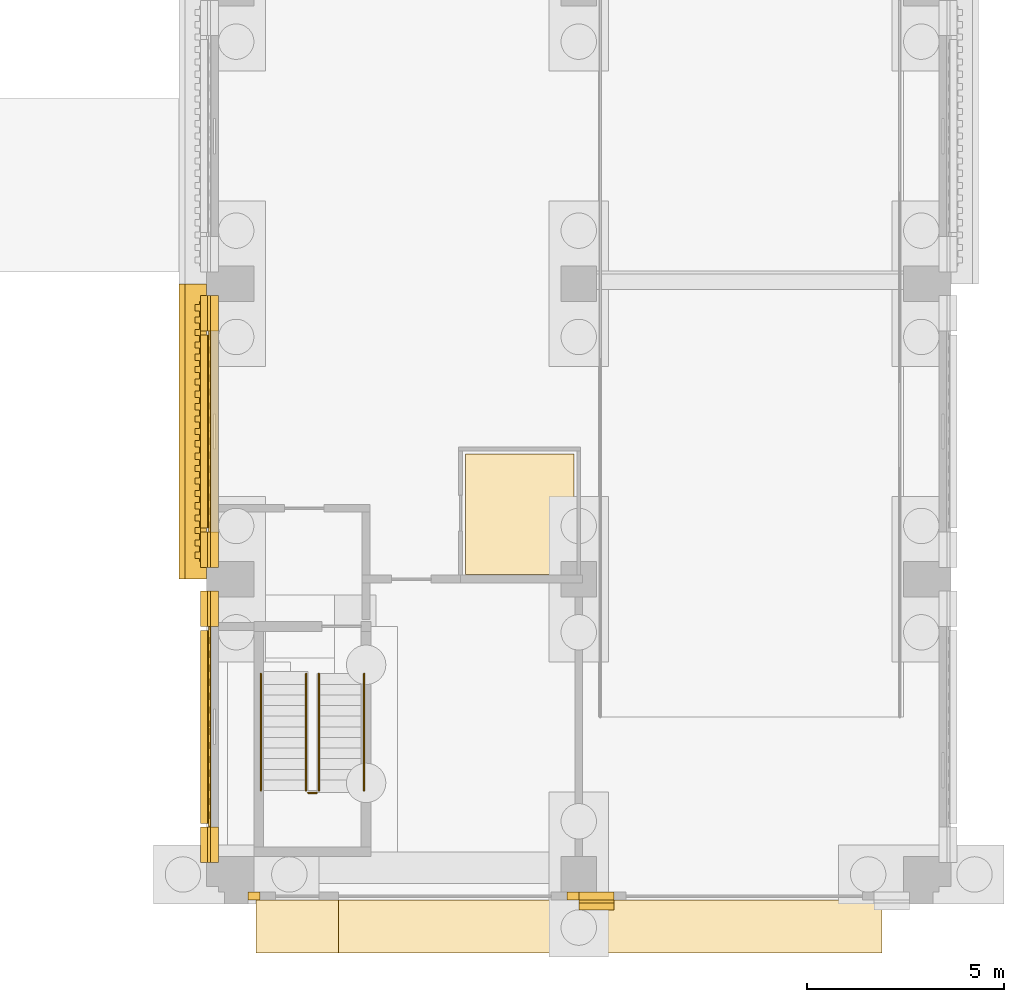
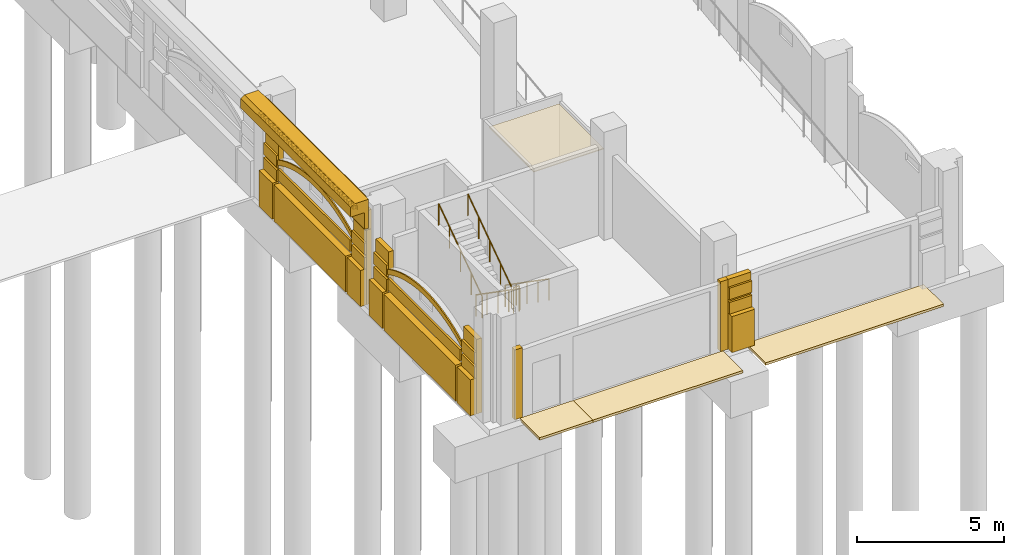
# One storey, part 80 of 99: 35 coverings, 5 railings.
"""IFC4 building model written with IfcOpenShell, lengths in metres."""

from ifc_helpers import new_model, si_unit, direction, frame, origin, origin_2d, place, context, subcontext, project, spatial, polyline, circle, outline, extrude, material, layer, layer_set, type_object, element, save


model = new_model("IFC4")

# Units and contexts
model_context = context("Model", 3, precision=1e-05, world=origin(), true_north=direction((0.0, 1.0)))
body_context = subcontext(model_context, "Body", "Model", "MODEL_VIEW")
ifc_project = project(units=[si_unit("LENGTHUNIT", "METRE"), si_unit("AREAUNIT", "SQUARE_METRE"), si_unit("VOLUMEUNIT", "CUBIC_METRE"), si_unit("PLANEANGLEUNIT", "RADIAN"), si_unit("MASSUNIT", "GRAM", prefix="KILO")], contexts=[model_context])

# Site, building, storey
site_placement = place(None, origin())
site = spatial("IfcSite", under=ifc_project, at=site_placement, CompositionType="ELEMENT")
building_placement = place(site_placement, origin())
building = spatial("IfcBuilding", under=site, at=building_placement, Name="Cour d'Honneur Mobility Palace", CompositionType="ELEMENT")
storey_placement = place(building_placement, origin())
storey = spatial("IfcBuildingStorey", under=building, at=storey_placement, Name="L00", CompositionType="ELEMENT", Elevation=0.0)

# Coverings
ifc_material_1 = material(Name="Cast limestone", Category="masonry")
ifc_layer_1 = layer(ifc_material_1, 0.050048828125)
ifc_layer_set_1 = layer_set([ifc_layer_1], Name="Cast limestone")
covering_type_1 = type_object("IfcCoveringType", Name="Arch hood", PredefinedType="CLADDING", material=ifc_layer_set_1)
for number, where, z_axis, x_axis, name in (
    (1, (144.199951171875, 13.800048828125, 2.179931640625), (-1.0, 0.0, 0.0), (0.0, -0.893604607308, 0.448854994176), "Arch hood AH-28"),
    (2, (144.199951171875, 6.300048828125, 2.179931640625), (-1.0, 0.0, 0.0), (0.0, -0.893604607308, 0.448854994176), "Arch hood AH-29"),
):
    element("IfcCovering", number, at=place(storey_placement, frame(where, z_axis=z_axis, x_axis=x_axis)), inside=storey, type_object=covering_type_1, Name=name, PredefinedType="CLADDING", context=body_context, shape_type="SweptSolid", body=[
        extrude(outline(polyline([(0.0, 0.0), (0.35681066731556765, 2.7755575615628914e-17), (0.7020064606072944, -0.022579595743628944), (1.0367907964215308, -0.06643079839719385), (1.3617125957426337, -0.129916867910564), (1.677101612077335, -0.2118373946082709), (1.9837229270167351, -0.31175705040594615), (2.2813593776637964, -0.4290203374513023), (2.570556878131994, -0.5636282580346337), (2.8512068469728096, -0.7152530632297959), (3.1229815352600987, -0.884003334485308), (3.3862076896297117, -1.070316404466126), (3.640229812229361, -1.2744094360692875), (3.885155482217271, -1.4971560923344107), (4.120218615712047, -1.7395376154593394), (4.344433961354672, -2.0029715780165787), (4.557470763348117, -2.2892043037950724), (4.656205712018263, -2.0926374700096892), (4.44327849376363, -1.8061865790438643), (4.218953564382193, -1.5429707816739562), (3.9838904308874175, -1.3005892585490275), (3.73907434463832, -1.0776244370965733), (3.484942638299858, -0.873749570680743), (3.221716483930245, -0.6874365006999249), (2.949941795642956, -0.5186862294444128), (2.6692918268021404, -0.3670614242492506), (2.3800943263339427, -0.23245350366591921), (2.0824578756868815, -0.11519021662056306), (1.7758365607474815, -0.015270560822887802), (1.460557128151593, 0.06686813106215028), (1.1355257450916771, 0.1301360353881893), (0.8007414092774409, 0.17398723804175414), (0.4556551997245267, 0.1967849989727143), (0.09873494867014648, 0.19656683378538312), (0.0, 0.0)])), origin(), (0.0, 0.0, -1.0), 0.050048828125),
    ])
ifc_material_2 = material(Name="Cast limestone", Category="masonry")
ifc_layer_2 = layer(ifc_material_2, 0.14990234375)
ifc_layer_set_2 = layer_set([ifc_layer_2], Name="Cast limestone")
covering_type_2 = type_object("IfcCoveringType", Name="Dentil course", PredefinedType="CLADDING", material=ifc_layer_set_2)
covering_1_placement = place(storey_placement, frame((0.0, 0.0, 3.949951171875)))
element("IfcCovering", 3, at=covering_1_placement, inside=storey, type_object=covering_type_2, Name="Dentil course DC-22", PredefinedType="CLADDING", context=body_context, shape_type="SweptSolid", body=[
    extrude(outline(polyline([(144.0, 14.550048828125), (144.0, 7.949951171875), (143.969970703125, 7.949951171875), (143.969970703125, 7.949951171875), (143.969970703125, 8.028564453125), (143.85009765625, 8.028564453125), (143.85009765625, 8.185791015625), (143.969970703125, 8.185791015625), (143.969970703125, 8.264404296875), (143.969970703125, 8.264404296875), (143.969970703125, 8.3427734375), (143.85009765625, 8.3427734375), (143.85009765625, 8.5), (143.969970703125, 8.5), (143.969970703125, 8.57861328125), (143.969970703125, 8.57861328125), (143.969970703125, 8.6572265625), (143.85009765625, 8.6572265625), (143.85009765625, 8.814208984375), (143.969970703125, 8.814208984375), (143.969970703125, 8.892822265625), (143.969970703125, 8.892822265625), (143.969970703125, 8.971435546875), (143.85009765625, 8.971435546875), (143.85009765625, 9.128662109375), (143.969970703125, 9.128662109375), (143.969970703125, 9.20703125), (143.969970703125, 9.20703125), (143.969970703125, 9.28564453125), (143.85009765625, 9.28564453125), (143.85009765625, 9.44287109375), (143.969970703125, 9.44287109375), (143.969970703125, 9.521484375), (143.969970703125, 9.521484375), (143.969970703125, 9.60009765625), (143.85009765625, 9.60009765625), (143.85009765625, 9.757080078125), (143.969970703125, 9.757080078125), (143.969970703125, 9.835693359375), (143.969970703125, 9.835693359375), (143.969970703125, 9.914306640625), (143.85009765625, 9.914306640625), (143.85009765625, 10.071533203125), (143.969970703125, 10.071533203125), (143.969970703125, 10.14990234375), (143.969970703125, 10.14990234375), (143.969970703125, 10.228515625), (143.85009765625, 10.228515625), (143.85009765625, 10.3857421875), (143.969970703125, 10.3857421875), (143.969970703125, 10.46435546875), (143.969970703125, 10.46435546875), (143.969970703125, 10.54296875), (143.85009765625, 10.54296875), (143.85009765625, 10.699951171875), (143.969970703125, 10.699951171875), (143.969970703125, 10.778564453125), (143.969970703125, 10.778564453125), (143.969970703125, 10.857177734375), (143.85009765625, 10.857177734375), (143.85009765625, 11.014404296875), (143.969970703125, 11.014404296875), (143.969970703125, 11.0927734375), (143.969970703125, 11.0927734375), (143.969970703125, 11.17138671875), (143.85009765625, 11.17138671875), (143.85009765625, 11.32861328125), (143.969970703125, 11.32861328125), (143.969970703125, 11.4072265625), (143.969970703125, 11.4072265625), (143.969970703125, 11.485595703125), (143.85009765625, 11.485595703125), (143.85009765625, 11.642822265625), (143.969970703125, 11.642822265625), (143.969970703125, 11.721435546875), (143.969970703125, 11.721435546875), (143.969970703125, 11.800048828125), (143.85009765625, 11.800048828125), (143.85009765625, 11.95703125), (143.969970703125, 11.95703125), (143.969970703125, 12.03564453125), (143.969970703125, 12.03564453125), (143.969970703125, 12.1142578125), (143.85009765625, 12.1142578125), (143.85009765625, 12.271484375), (143.969970703125, 12.271484375), (143.969970703125, 12.35009765625), (143.969970703125, 12.35009765625), (143.969970703125, 12.428466796875), (143.85009765625, 12.428466796875), (143.85009765625, 12.585693359375), (143.969970703125, 12.585693359375), (143.969970703125, 12.664306640625), (143.969970703125, 12.664306640625), (143.969970703125, 12.742919921875), (143.85009765625, 12.742919921875), (143.85009765625, 12.89990234375), (143.969970703125, 12.89990234375), (143.969970703125, 12.978515625), (143.969970703125, 12.978515625), (143.969970703125, 13.05712890625), (143.85009765625, 13.05712890625), (143.85009765625, 13.21435546875), (143.969970703125, 13.21435546875), (143.969970703125, 13.29296875), (143.969970703125, 13.29296875), (143.969970703125, 13.371337890625), (143.85009765625, 13.371337890625), (143.85009765625, 13.528564453125), (143.969970703125, 13.528564453125), (143.969970703125, 13.607177734375), (143.969970703125, 13.607177734375), (143.969970703125, 13.685791015625), (143.85009765625, 13.685791015625), (143.85009765625, 13.8427734375), (143.969970703125, 13.8427734375), (143.969970703125, 13.92138671875), (143.969970703125, 13.92138671875), (143.969970703125, 14.0), (143.85009765625, 14.0), (143.85009765625, 14.1572265625), (143.969970703125, 14.1572265625), (143.969970703125, 14.235595703125), (143.969970703125, 14.235595703125), (143.969970703125, 14.314208984375), (143.85009765625, 14.314208984375), (143.85009765625, 14.471435546875), (143.969970703125, 14.471435546875), (143.969970703125, 14.550048828125), (144.0, 14.550048828125)])), origin(), (0.0, 0.0, 1.0), 0.150146484375),
])
ifc_material_3 = material(Name="Cast limestone", Category="masonry")
ifc_layer_3 = layer(ifc_material_3, 0.699951171875)
ifc_layer_set_3 = layer_set([ifc_layer_3], Name="Cast limestone")
covering_type_3 = type_object("IfcCoveringType", Name="Entablature", PredefinedType="CLADDING", material=ifc_layer_set_3)
covering_2_placement = place(storey_placement, frame((144.14990234375, 15.0, 3.39990234375), z_axis=(0.0, 1.0, 0.0), x_axis=(-1.0, 0.0, 0.0)))
element("IfcCovering", 4, at=covering_2_placement, inside=storey, type_object=covering_type_3, Name="Entablature EN-22", PredefinedType="CLADDING", context=body_context, shape_type="SweptSolid", body=[
    extrude(outline(polyline([(0.0, 0.0), (0.14990234375, 0.0), (0.14990234375, 0.7001953125), (0.699951171875, 0.7001953125), (0.699951171875, 1.10009765625), (0.5498046875, 1.2001953125), (0.0, 1.2001953125), (0.0, 0.0)])), origin(), (0.0, 0.0, -1.0), 7.5),
])
ifc_material_4 = material(Name="Granite paving", Category="masonry")
ifc_layer_4 = layer(ifc_material_4, 0.10009765625)
ifc_layer_set_4 = layer_set([ifc_layer_4], Name="Granite paving")
covering_type_4 = type_object("IfcCoveringType", Name="Entrance paving", PredefinedType="FLOORING", material=ifc_layer_set_4)
covering_3_placement = place(storey_placement, frame((0.0, 0.0, -0.10009765625)))
element("IfcCovering", 5, at=covering_3_placement, inside=storey, type_object=covering_type_4, Name="Entrance paving PV-7", PredefinedType="FLOORING", context=body_context, shape_type="SweptSolid", body=[
    extrude(outline(polyline([(147.0, -0.64990234375), (153.39990234375, -0.64990234375), (153.39990234375, -2.0), (147.0, -2.0), (147.0, -0.64990234375)])), origin(), (0.0, 0.0, 1.0), 0.10009765625),
])
covering_4_placement = place(storey_placement, frame((0.0, 0.0, -0.10009765625)))
element("IfcCovering", 6, at=covering_4_placement, inside=storey, type_object=covering_type_4, Name="Entrance paving PV-8", PredefinedType="FLOORING", context=body_context, shape_type="SweptSolid", body=[
    extrude(outline(polyline([(145.39990234375, -0.64990234375), (147.5, -0.64990234375), (147.5, -2.0), (145.39990234375, -2.0), (145.39990234375, -0.64990234375)])), origin(), (0.0, 0.0, 1.0), 0.10009765625),
])
covering_5_placement = place(storey_placement, frame((0.0, 0.0, -0.10009765625)))
element("IfcCovering", 7, at=covering_5_placement, inside=storey, type_object=covering_type_4, Name="Entrance paving PV-9", PredefinedType="FLOORING", context=body_context, shape_type="SweptSolid", body=[
    extrude(outline(polyline([(154.300048828125, -0.64990234375), (161.300048828125, -0.64990234375), (161.300048828125, -2.0), (154.300048828125, -2.0), (154.300048828125, -0.64990234375)])), origin(), (0.0, 0.0, 1.0), 0.10009765625),
])

# Railings
ifc_material_5 = material(Name="Painted steel", Category="steel")
railing_type_1 = type_object("IfcRailingType", Name="Guardrail 1100", PredefinedType="GUARDRAIL", material=ifc_material_5)
railing_placement = place(storey_placement, frame((146.72509765625, 2.070068359375, 2.25)))
element("IfcRailing", 8, at=railing_placement, inside=storey, type_object=railing_type_1, Name="Landing guard ST-RE1", PredefinedType="GUARDRAIL", context=body_context, shape_type="SweptSolid", body=[
    extrude(circle(Radius=0.02490234375, at=origin_2d()), frame((0.0, 0.0, 1.0751953125), z_axis=(1.0, 0.0, 0.0), x_axis=(0.0, 1.0, 0.0)), (0.0, 0.0, 1.0), 0.224853515625),
    extrude(circle(Radius=0.02099609375, at=origin_2d()), origin(), (0.0, 0.0, 1.0), 1.050048828125),
    extrude(circle(Radius=0.02099609375, at=origin_2d()), frame((0.224853515625, 0.0, 0.0)), (0.0, 0.0, 1.0), 1.050048828125),
])
ifc_material_6 = material(Name="Stainless steel", Category="steel")
railing_type_2 = type_object("IfcRailingType", Name="Handrail round 50", PredefinedType="HANDRAIL", material=ifc_material_6)
for number, where, name in (
    (9, (148.14990234375, 5.10009765625, 0.1875), "Handrail ST-RE1"),
    (10, (147.0, 5.10009765625, 0.1875), "Handrail ST-RE1"),
):
    element("IfcRailing", number, at=place(storey_placement, frame(where)), inside=storey, type_object=railing_type_2, Name=name, PredefinedType="HANDRAIL", context=body_context, shape_type="SweptSolid", body=[
        extrude(circle(Radius=0.02490234375, at=origin_2d()), frame((0.0, 0.0, 0.89501953125), z_axis=(0.0, -0.821389295411, 0.570367973667), x_axis=(1.0, 0.0, 0.0)), (0.0, 0.0, 1.0), 3.615966796875),
        extrude(circle(Radius=0.02099609375, at=origin_2d()), origin(), (0.0, 0.0, 1.0), 0.869873046875),
        extrude(circle(Radius=0.02099609375, at=origin_2d()), frame((0.0, -0.74267578125, 0.515625)), (0.0, 0.0, 1.0), 0.869873046875),
        extrude(circle(Radius=0.02099609375, at=origin_2d()), frame((0.0, -1.485107421875, 1.03125)), (0.0, 0.0, 1.0), 0.869873046875),
        extrude(circle(Radius=0.02099609375, at=origin_2d()), frame((0.0, -2.2275390625, 1.546875)), (0.0, 0.0, 1.0), 0.869873046875),
        extrude(circle(Radius=0.02099609375, at=origin_2d()), frame((0.0, -2.97021484375, 2.0625)), (0.0, 0.0, 1.0), 0.869873046875),
    ])
for number, where, name in (
    (11, (146.675048828125, 2.1298828125, 2.4375), "Handrail ST-RE1"),
    (12, (145.52490234375, 2.1298828125, 2.4375), "Handrail ST-RE1"),
):
    element("IfcRailing", number, at=place(storey_placement, frame(where)), inside=storey, type_object=railing_type_2, Name=name, PredefinedType="HANDRAIL", context=body_context, shape_type="SweptSolid", body=[
        extrude(circle(Radius=0.02490234375, at=origin_2d()), frame((0.0, 0.0, 0.89501953125), z_axis=(0.0, 0.821389295411, 0.570367973667), x_axis=(-1.0, 0.0, 0.0)), (0.0, 0.0, 1.0), 3.615966796875),
        extrude(circle(Radius=0.02099609375, at=origin_2d()), origin(), (0.0, 0.0, 1.0), 0.869873046875),
        extrude(circle(Radius=0.02099609375, at=origin_2d()), frame((0.0, 0.74267578125, 0.515625)), (0.0, 0.0, 1.0), 0.869873046875),
        extrude(circle(Radius=0.02099609375, at=origin_2d()), frame((0.0, 1.485107421875, 1.03125)), (0.0, 0.0, 1.0), 0.869873046875),
        extrude(circle(Radius=0.02099609375, at=origin_2d()), frame((0.0, 2.2275390625, 1.546875)), (0.0, 0.0, 1.0), 0.869873046875),
        extrude(circle(Radius=0.02099609375, at=origin_2d()), frame((0.0, 2.97021484375, 2.0625)), (0.0, 0.0, 1.0), 0.869873046875),
    ])

# Coverings
ifc_material_7 = material(Name="Cast limestone", Category="masonry")
ifc_layer_5 = layer(ifc_material_7, 0.25)
ifc_layer_set_5 = layer_set([ifc_layer_5], Name="Cast limestone")
covering_type_5 = type_object("IfcCoveringType", Name="Plinth course", PredefinedType="CLADDING", material=ifc_layer_set_5)
covering_6_placement = place(storey_placement, origin())
element("IfcCovering", 13, at=covering_6_placement, inside=storey, type_object=covering_type_5, Name="Plinth course PI-81", PredefinedType="CLADDING", context=body_context, shape_type="SweptSolid", body=[
    extrude(outline(polyline([(144.25, 14.699951171875), (144.25, 13.800048828125), (144.0, 13.800048828125), (144.0, 14.699951171875), (144.25, 14.699951171875)])), origin(), (0.0, 0.0, 1.0), 1.5),
])
covering_7_placement = place(storey_placement, origin())
element("IfcCovering", 14, at=covering_7_placement, inside=storey, type_object=covering_type_5, Name="Plinth course PI-82", PredefinedType="CLADDING", context=body_context, shape_type="SweptSolid", body=[
    extrude(outline(polyline([(144.25, 8.699951171875), (144.25, 7.800048828125), (144.0, 7.800048828125), (144.0, 8.699951171875), (144.25, 8.699951171875)])), origin(), (0.0, 0.0, 1.0), 1.5),
])
covering_8_placement = place(storey_placement, origin())
element("IfcCovering", 15, at=covering_8_placement, inside=storey, type_object=covering_type_5, Name="Plinth course PI-83", PredefinedType="CLADDING", context=body_context, shape_type="SweptSolid", body=[
    extrude(outline(polyline([(144.25, 13.699951171875), (144.25, 8.800048828125), (144.0, 8.800048828125), (144.0, 13.699951171875), (144.25, 13.699951171875)])), origin(), (0.0, 0.0, 1.0), 1.5),
])
covering_9_placement = place(storey_placement, origin())
element("IfcCovering", 16, at=covering_9_placement, inside=storey, type_object=covering_type_5, Name="Plinth course PI-84", PredefinedType="CLADDING", context=body_context, shape_type="SweptSolid", body=[
    extrude(outline(polyline([(144.25, 7.199951171875), (144.25, 6.300048828125), (144.0, 6.300048828125), (144.0, 7.199951171875), (144.25, 7.199951171875)])), origin(), (0.0, 0.0, 1.0), 1.5),
])
covering_10_placement = place(storey_placement, origin())
element("IfcCovering", 17, at=covering_10_placement, inside=storey, type_object=covering_type_5, Name="Plinth course PI-85", PredefinedType="CLADDING", context=body_context, shape_type="SweptSolid", body=[
    extrude(outline(polyline([(144.25, 1.199951171875), (144.25, 0.300048828125), (144.0, 0.300048828125), (144.0, 1.199951171875), (144.25, 1.199951171875)])), origin(), (0.0, 0.0, 1.0), 1.5),
])
covering_11_placement = place(storey_placement, origin())
element("IfcCovering", 18, at=covering_11_placement, inside=storey, type_object=covering_type_5, Name="Plinth course PI-86", PredefinedType="CLADDING", context=body_context, shape_type="SweptSolid", body=[
    extrude(outline(polyline([(144.25, 6.199951171875), (144.25, 1.300048828125), (144.0, 1.300048828125), (144.0, 6.199951171875), (144.25, 6.199951171875)])), origin(), (0.0, 0.0, 1.0), 1.5),
])
covering_12_placement = place(storey_placement, origin())
element("IfcCovering", 19, at=covering_12_placement, inside=storey, type_object=covering_type_5, Name="Plinth course PI-87", PredefinedType="CLADDING", context=body_context, shape_type="SweptSolid", body=[
    extrude(outline(polyline([(153.60009765625, -0.64990234375), (154.5, -0.64990234375), (154.5, -0.89990234375), (153.60009765625, -0.89990234375), (153.60009765625, -0.64990234375)])), origin(), (0.0, 0.0, 1.0), 1.5),
])
ifc_material_8 = material(Name="Cast limestone", Category="masonry")
ifc_layer_6 = layer(ifc_material_8, 0.199951171875)
ifc_layer_set_6 = layer_set([ifc_layer_6], Name="Cast limestone")
covering_type_6 = type_object("IfcCoveringType", Name="Rusticated jamb panel", PredefinedType="CLADDING", material=ifc_layer_set_6)
for number, where, z_axis, x_axis, name in (
    (20, (144.25, 14.699951171875, 0.0), (-1.0, 0.0, 0.0), (0.0, -1.0, 0.0), "Rusticated jamb panel RP-59"),
    (21, (144.25, 8.699951171875, 0.0), (-1.0, 0.0, 0.0), (0.0, -1.0, 0.0), "Rusticated jamb panel RP-60"),
    (22, (144.25, 7.199951171875, 0.0), (-1.0, 0.0, 0.0), (0.0, -1.0, 0.0), "Rusticated jamb panel RP-61"),
    (23, (144.25, 1.199951171875, 0.0), (-1.0, 0.0, 0.0), (0.0, -1.0, 0.0), "Rusticated jamb panel RP-62"),
):
    element("IfcCovering", number, at=place(storey_placement, frame(where, z_axis=z_axis, x_axis=x_axis)), inside=storey, type_object=covering_type_6, Name=name, PredefinedType="CLADDING", context=body_context, shape_type="SweptSolid", body=[
        extrude(outline(polyline([(0.0, 0.0), (0.89990234375, 0.0), (0.89990234375, 3.10009765625), (0.0, 3.10009765625), (0.0, 0.0)])), origin(), (0.0, 0.0, -1.0), 0.199951171875),
    ])
for number, where, z_axis, x_axis, name in (
    (24, (145.199951171875, -0.64990234375, 0.0), (0.0, -1.0, 0.0), (1.0, 0.0, 0.0), "Rusticated jamb panel RP-63"),
    (25, (153.300048828125, -0.64990234375, 0.0), (0.0, -1.0, 0.0), (1.0, 0.0, 0.0), "Rusticated jamb panel RP-64"),
):
    element("IfcCovering", number, at=place(storey_placement, frame(where, z_axis=z_axis, x_axis=x_axis)), inside=storey, type_object=covering_type_6, Name=name, PredefinedType="CLADDING", context=body_context, shape_type="SweptSolid", body=[
        extrude(outline(polyline([(0.0, 0.0), (0.300048828125, 0.0), (0.300048828125, 2.89990234375), (0.0, 2.89990234375), (0.0, 0.0)])), origin(), (0.0, 0.0, -1.0), 0.199951171875),
    ])
covering_13_placement = place(storey_placement, frame((153.60009765625, -0.64990234375, 0.0), z_axis=(0.0, -1.0, 0.0), x_axis=(1.0, 0.0, 0.0)))
element("IfcCovering", 26, at=covering_13_placement, inside=storey, type_object=covering_type_6, Name="Rusticated jamb panel RP-65", PredefinedType="CLADDING", context=body_context, shape_type="SweptSolid", body=[
    extrude(outline(polyline([(0.0, 0.0), (0.89990234375, 0.0), (0.89990234375, 2.89990234375), (0.0, 2.89990234375), (0.0, 0.0)])), origin(), (0.0, 0.0, -1.0), 0.199951171875),
])
ifc_material_9 = material(Name="Cast limestone", Category="masonry")
ifc_layer_7 = layer(ifc_material_9, 0.080078125)
ifc_layer_set_7 = layer_set([ifc_layer_7], Name="Cast limestone")
covering_type_7 = type_object("IfcCoveringType", Name="Rustication course", PredefinedType="CLADDING", material=ifc_layer_set_7)
for number, where, name in (
    (27, (0.0, 0.0, 1.5), "Rustication course RC-137"),
    (28, (0.0, 0.0, 2.10009765625), "Rustication course RC-138"),
):
    element("IfcCovering", number, at=place(storey_placement, frame(where)), inside=storey, type_object=covering_type_7, Name=name, PredefinedType="CLADDING", context=body_context, shape_type="SweptSolid", body=[
        extrude(outline(polyline([(144.25, 14.699951171875), (144.25, 13.800048828125), (144.169921875, 13.800048828125), (144.169921875, 14.699951171875), (144.25, 14.699951171875)])), origin(), (0.0, 0.0, 1.0), 0.47998046875),
    ])
for number, where, name in (
    (29, (0.0, 0.0, 1.5), "Rustication course RC-139"),
    (30, (0.0, 0.0, 2.10009765625), "Rustication course RC-140"),
):
    element("IfcCovering", number, at=place(storey_placement, frame(where)), inside=storey, type_object=covering_type_7, Name=name, PredefinedType="CLADDING", context=body_context, shape_type="SweptSolid", body=[
        extrude(outline(polyline([(144.25, 8.699951171875), (144.25, 7.800048828125), (144.169921875, 7.800048828125), (144.169921875, 8.699951171875), (144.25, 8.699951171875)])), origin(), (0.0, 0.0, 1.0), 0.47998046875),
    ])
covering_14_placement = place(storey_placement, frame((0.0, 0.0, 1.6201171875)))
element("IfcCovering", 31, at=covering_14_placement, inside=storey, type_object=covering_type_7, Name="Rustication course RC-141", PredefinedType="CLADDING", context=body_context, shape_type="SweptSolid", body=[
    extrude(outline(polyline([(144.25, 13.699951171875), (144.25, 8.800048828125), (144.169921875, 8.800048828125), (144.169921875, 13.699951171875), (144.25, 13.699951171875)])), origin(), (0.0, 0.0, 1.0), 0.47998046875),
])
for number, where, name in (
    (32, (0.0, 0.0, 1.5), "Rustication course RC-142"),
    (33, (0.0, 0.0, 2.10009765625), "Rustication course RC-143"),
):
    element("IfcCovering", number, at=place(storey_placement, frame(where)), inside=storey, type_object=covering_type_7, Name=name, PredefinedType="CLADDING", context=body_context, shape_type="SweptSolid", body=[
        extrude(outline(polyline([(144.25, 7.199951171875), (144.25, 6.300048828125), (144.169921875, 6.300048828125), (144.169921875, 7.199951171875), (144.25, 7.199951171875)])), origin(), (0.0, 0.0, 1.0), 0.47998046875),
    ])
for number, where, name in (
    (34, (0.0, 0.0, 1.5), "Rustication course RC-144"),
    (35, (0.0, 0.0, 2.10009765625), "Rustication course RC-145"),
):
    element("IfcCovering", number, at=place(storey_placement, frame(where)), inside=storey, type_object=covering_type_7, Name=name, PredefinedType="CLADDING", context=body_context, shape_type="SweptSolid", body=[
        extrude(outline(polyline([(144.25, 1.199951171875), (144.25, 0.300048828125), (144.169921875, 0.300048828125), (144.169921875, 1.199951171875), (144.25, 1.199951171875)])), origin(), (0.0, 0.0, 1.0), 0.47998046875),
    ])
covering_15_placement = place(storey_placement, frame((0.0, 0.0, 1.6201171875)))
element("IfcCovering", 36, at=covering_15_placement, inside=storey, type_object=covering_type_7, Name="Rustication course RC-146", PredefinedType="CLADDING", context=body_context, shape_type="SweptSolid", body=[
    extrude(outline(polyline([(144.25, 6.199951171875), (144.25, 1.300048828125), (144.169921875, 1.300048828125), (144.169921875, 6.199951171875), (144.25, 6.199951171875)])), origin(), (0.0, 0.0, 1.0), 0.47998046875),
])
for number, where, name in (
    (37, (0.0, 0.0, 1.5), "Rustication course RC-147"),
    (38, (0.0, 0.0, 2.10009765625), "Rustication course RC-148"),
):
    element("IfcCovering", number, at=place(storey_placement, frame(where)), inside=storey, type_object=covering_type_7, Name=name, PredefinedType="CLADDING", context=body_context, shape_type="SweptSolid", body=[
        extrude(outline(polyline([(153.60009765625, -0.64990234375), (154.5, -0.64990234375), (154.5, -0.72998046875), (153.60009765625, -0.72998046875), (153.60009765625, -0.64990234375)])), origin(), (0.0, 0.0, 1.0), 0.47998046875),
    ])
ifc_material_10 = material(Name="Cast limestone", Category="masonry")
ifc_layer_8 = layer(ifc_material_10, 0.25)
ifc_layer_set_8 = layer_set([ifc_layer_8], Name="Cast limestone")
covering_type_8 = type_object("IfcCoveringType", Name="Spandrel cladding", PredefinedType="CLADDING", material=ifc_layer_set_8)
covering_16_placement = place(storey_placement, frame((144.449951171875, 14.699951171875, 3.10009765625), z_axis=(0.0, 1.0, 0.0), x_axis=(-1.0, 0.0, 0.0)))
element("IfcCovering", 39, at=covering_16_placement, inside=storey, type_object=covering_type_8, Name="Spandrel cladding SK-22", PredefinedType="CLADDING", context=body_context, shape_type="SweptSolid", body=[
    extrude(outline(polyline([(0.0, 0.0), (0.25, 0.0), (0.25, 1.39990234375), (0.199951171875, 1.39990234375), (0.199951171875, 0.7998046875), (0.0, 0.7998046875), (0.0, 0.0)])), origin(), (0.0, 0.0, -1.0), 6.89990234375),
])
ifc_material_11 = material(Name="Suspended ceiling")
ifc_layer_9 = layer(ifc_material_11, 0.030029296875)
ifc_layer_set_9 = layer_set([ifc_layer_9], Name="Suspended ceiling")
covering_type_9 = type_object("IfcCoveringType", Name="Suspended ceiling", PredefinedType="CEILING", material=ifc_layer_set_9)
covering_17_placement = place(storey_placement, frame((0.0, 0.0, 3.35009765625)))
element("IfcCovering", 40, at=covering_17_placement, inside=storey, type_object=covering_type_9, Name="Ceiling Cashier Kiosk East", PredefinedType="CEILING", context=body_context, shape_type="SweptSolid", body=[
    extrude(outline(polyline([(153.47998046875, 7.6201171875), (150.719970703125, 7.6201171875), (150.719970703125, 10.679931640625), (153.47998046875, 10.679931640625), (153.47998046875, 7.6201171875)])), origin(), (0.0, 0.0, 1.0), 0.02978515625),
])

save(model, "model.ifc")
